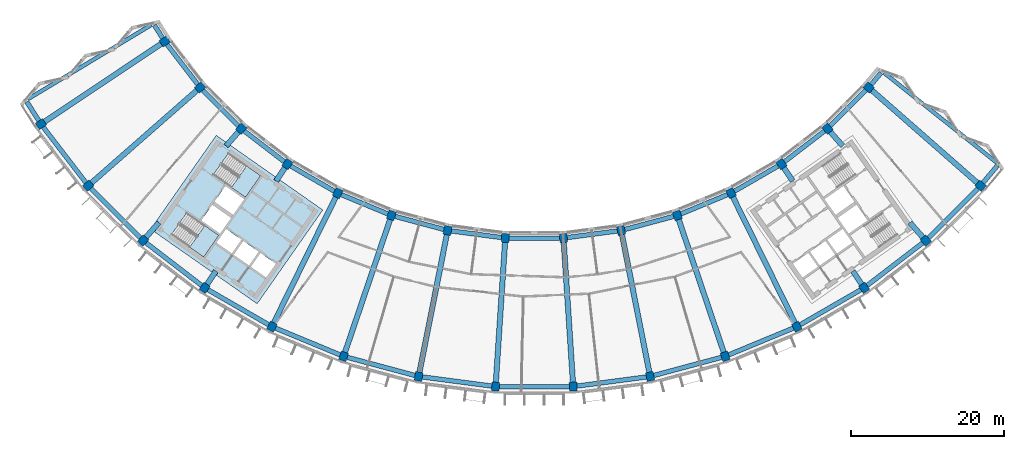
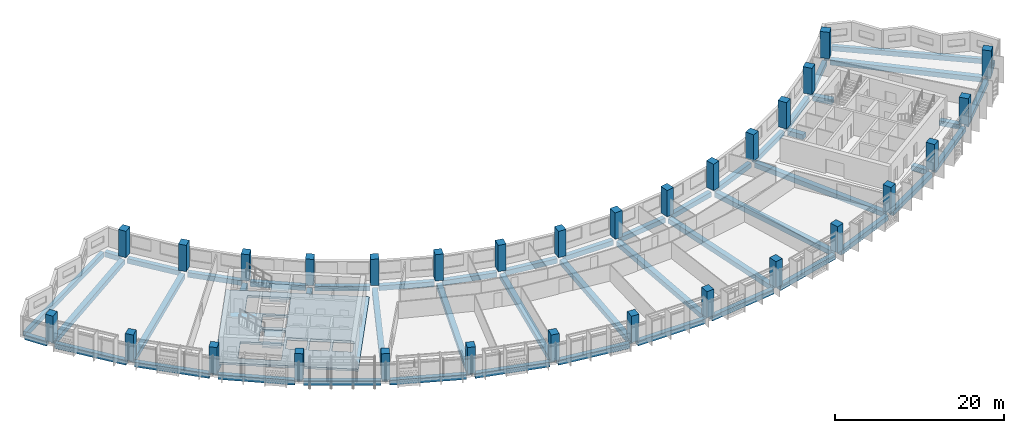
# One storey, part 1 of 28: 53 beams, 30 columns, 3 slabs, 2 elements without a shape of their own.
"""IFC4 building model written with IfcOpenShell, lengths in metres."""

import ifcopenshell
import ifcopenshell.guid

model = None  # the IFC model being written
_history = None  # IfcOwnerHistory: only IFC2X3 demands one
_inside = {}  # id of a spatial element -> (the spatial element, [elements in it])
_under = {}  # id of a project, library or spatial element -> (it, [spatial elements below it])
_declared = {}  # id of a project -> (the project, [libraries it declares])
_typed = {}  # id of a type object -> (the type object, [elements of that type])
_made_of = {}  # id of a material, layer set ... -> (it, [elements and type objects made of it])


def new_model(schema):
    """Start an empty IFC model of exactly this schema.

    Asked for "IFC4X3", IfcOpenShell would pick the latest addendum, in which some entities
    have other attributes; the version numbers below select the first issue.
    IFC2X3 requires an IfcOwnerHistory on every rooted entity: one is made here for all.
    """
    global model, _history
    if schema == "IFC4X3":
        model = ifcopenshell.file(schema_version=(4, 3, 0, 0))
    else:
        model = ifcopenshell.file(schema=schema)
    _inside.clear()
    _under.clear()
    _declared.clear()
    _typed.clear()
    _made_of.clear()
    _history = None
    if model.schema == "IFC2X3":
        org = make("IfcOrganization", Name="unknown")
        user = make(
            "IfcPersonAndOrganization",
            ThePerson=make("IfcPerson", FamilyName="unknown"),
            TheOrganization=org,
        )
        app = make(
            "IfcApplication",
            ApplicationDeveloper=org,
            Version="unknown",
            ApplicationFullName="unknown",
            ApplicationIdentifier="unknown",
        )
        _history = make(
            "IfcOwnerHistory",
            OwningUser=user,
            OwningApplication=app,
            ChangeAction="ADDED",
            CreationDate=0,
        )
    return model


def make(cls, **values):
    """One entity of the class cls with the attributes given. An attribute that is None is left unset."""
    return model.create_entity(
        cls, **{name: value for name, value in values.items() if value is not None}
    )


def rooted(cls, **values):
    """An entity with a GlobalId (a new one), such as an element, a storey or a relation."""
    return make(cls, GlobalId=ifcopenshell.guid.new(), OwnerHistory=_history, **values)


def si_unit(unit_type, name, prefix=None):
    """IfcSIUnit, for example si_unit("LENGTHUNIT", "METRE", prefix="MILLI")."""
    return make("IfcSIUnit", UnitType=unit_type, Prefix=prefix, Name=name)


def assignment(units):
    """IfcUnitAssignment: the units of a project."""
    return None if units is None else make("IfcUnitAssignment", Units=units)


def point(xyz):
    """IfcCartesianPoint."""
    return None if xyz is None else make("IfcCartesianPoint", Coordinates=xyz)


def direction(xyz):
    """IfcDirection."""
    return None if xyz is None else make("IfcDirection", DirectionRatios=xyz)


def frame(location, z_axis=None, x_axis=None):
    """IfcAxis2Placement3D, a coordinate frame: its origin and axes. An axis left out is left unset."""
    return make(
        "IfcAxis2Placement3D",
        Location=point(location),
        Axis=direction(z_axis),
        RefDirection=direction(x_axis),
    )


def frame_2d(location, x_axis=None):
    """IfcAxis2Placement2D, a coordinate frame in the plane: its origin and x axis."""
    return make(
        "IfcAxis2Placement2D", Location=point(location), RefDirection=direction(x_axis)
    )


def origin():
    """The frame at (0, 0, 0) with its axes left unset."""
    return frame((0.0, 0.0, 0.0))


def origin_2d():
    """The frame at (0, 0) in the plane with its x axis left unset."""
    return frame_2d((0.0, 0.0))


def place(relative_to, where):
    """IfcLocalPlacement: puts the frame where relative to a parent placement (None: the world)."""
    return make(
        "IfcLocalPlacement", PlacementRelTo=relative_to, RelativePlacement=where
    )


def context(
    kind, dimensions, precision=None, world=None, true_north=None, identifier=None
):
    """IfcGeometricRepresentationContext, for example the 3D "Model" context."""
    return make(
        "IfcGeometricRepresentationContext",
        ContextIdentifier=identifier,
        ContextType=kind,
        CoordinateSpaceDimension=dimensions,
        Precision=precision,
        WorldCoordinateSystem=world,
        TrueNorth=true_north,
    )


def subcontext(parent, identifier, kind, view, scale=None):
    """IfcGeometricRepresentationSubContext, for example "Body" below "Model"."""
    return make(
        "IfcGeometricRepresentationSubContext",
        ContextIdentifier=identifier,
        ContextType=kind,
        ParentContext=parent,
        TargetScale=scale,
        TargetView=view,
    )


def project(units=None, contexts=None):
    """IfcProject with its units and contexts."""
    return rooted(
        "IfcProject",
        Name="project",
        RepresentationContexts=contexts,
        UnitsInContext=assignment(units),
    )


def spatial(cls, under=None, at=None, **own):
    """A site, building, storey or space (cls), placed at a placement, below another one or the project."""
    s = rooted(cls, ObjectPlacement=at, **own)
    if under is not None:
        _under.setdefault(under.id(), (under, []))[1].append(s)
    return s


def polyline(points):
    """IfcPolyline through the points."""
    return make("IfcPolyline", Points=[point(p) for p in points])


def profile(cls, at=None, kind="AREA", **sizes):
    """A parametric profile (cls). Its sizes go by their IFC names, for example OverallWidth=200.0."""
    return make(cls, ProfileType=kind, Position=at, **sizes)


def rectangle(**sizes):
    """IfcRectangleProfileDef."""
    return profile("IfcRectangleProfileDef", **sizes)


def outline(outer, holes=None, kind="AREA"):
    """IfcArbitraryClosedProfileDef: a profile drawn as a closed curve; with holes, ...WithVoids."""
    if holes is None:
        return make("IfcArbitraryClosedProfileDef", ProfileType=kind, OuterCurve=outer)
    return make(
        "IfcArbitraryProfileDefWithVoids",
        ProfileType=kind,
        OuterCurve=outer,
        InnerCurves=holes,
    )


def extrude(swept, where, along, depth):
    """IfcExtrudedAreaSolid: the profile swept, set in the frame where, extruded along a direction by depth."""
    return make(
        "IfcExtrudedAreaSolid",
        SweptArea=swept,
        Position=where,
        ExtrudedDirection=direction(along),
        Depth=depth,
    )


def shape(context_of_items, identifier, shape_type, items):
    """IfcShapeRepresentation: the items that make up one representation, for example the "Body"."""
    return make(
        "IfcShapeRepresentation",
        ContextOfItems=context_of_items,
        RepresentationIdentifier=identifier,
        RepresentationType=shape_type,
        Items=items,
    )


def material(Name=None, Category=None):
    """IfcMaterial."""
    return make("IfcMaterial", Name=Name, Category=Category)


def layer(
    of_material, thickness, ventilated=None, Name=None, Category=None, Priority=None
):
    """IfcMaterialLayer: one layer of a wall or slab, of a material (None: an air gap)."""
    return make(
        "IfcMaterialLayer",
        Material=of_material,
        LayerThickness=thickness,
        IsVentilated=ventilated,
        Name=Name,
        Category=Category,
        Priority=Priority,
    )


def layer_set(layers, Name=None):
    """IfcMaterialLayerSet."""
    return make("IfcMaterialLayerSet", MaterialLayers=layers, LayerSetName=Name)


def material_profile(
    of_material, cross_section, Name=None, Category=None, Priority=None
):
    """IfcMaterialProfile: a cross section and its material."""
    return make(
        "IfcMaterialProfile",
        Name=Name,
        Material=of_material,
        Profile=cross_section,
        Priority=Priority,
        Category=Category,
    )


def profile_set(profiles, Name=None, composite=None):
    """IfcMaterialProfileSet."""
    return make(
        "IfcMaterialProfileSet",
        Name=Name,
        MaterialProfiles=profiles,
        CompositeProfile=composite,
    )


def made_of(thing, what):
    """Note that an element or type object is made of a material, layer set ...; save() writes the relation."""
    if what is not None:
        _made_of.setdefault(what.id(), (what, []))[1].append(thing)
    return thing


def type_object(cls, material=None, **own):
    """A type object (cls), such as IfcWallType, which elements share."""
    return made_of(rooted(cls, **own), material)


def element(
    cls,
    number,
    at=None,
    inside=None,
    cuts=None,
    type_object=None,
    material=None,
    context=None,
    identifier="Body",
    shape_type=None,
    held_by="IfcProductDefinitionShape",
    body=None,
    shapes=None,
    **own,
):
    """One element of the class cls, such as IfcWall. Its Tag is "e" and its number.

    at: its placement. inside: the storey or other place that contains it. cuts: it is an
    opening in that element (IfcRelVoidsElement). A single representation is given by context,
    identifier, shape_type and body (its items); several are given by shapes. held_by: the class
    of the entity that holds the representations. save() writes the other relations.
    """
    e = rooted(cls, Tag="e%d" % number, ObjectPlacement=at, **own)
    if body is not None:
        shapes = [shape(context, identifier, shape_type, body)]
    if shapes is not None:
        e.Representation = make(held_by, Representations=shapes)
    if inside is not None:
        _inside.setdefault(inside.id(), (inside, []))[1].append(e)
    if cuts is not None:
        rooted(
            "IfcRelVoidsElement", RelatingBuildingElement=cuts, RelatedOpeningElement=e
        )
    if type_object is not None:
        _typed.setdefault(type_object.id(), (type_object, []))[1].append(e)
    return made_of(e, material)


def aggregate(whole, parts):
    """IfcRelAggregates: a whole, such as a stair, and the parts it consists of."""
    return rooted("IfcRelAggregates", RelatingObject=whole, RelatedObjects=parts)


def save(model, path):
    """Write the relations noted so far, then the file.

    IfcRelAggregates (storeys below a building ...), IfcRelContainedInSpatialStructure (elements
    in a storey), IfcRelDefinesByType, IfcRelAssociatesMaterial and IfcRelDeclares: one each for
    every whole, place, type object, material and project.
    """
    for whole, parts in _under.values():
        aggregate(whole, parts)
    for where, things in _inside.values():
        rooted(
            "IfcRelContainedInSpatialStructure",
            RelatedElements=things,
            RelatingStructure=where,
        )
    for kind, things in _typed.values():
        rooted("IfcRelDefinesByType", RelatedObjects=things, RelatingType=kind)
    for what, things in _made_of.values():
        rooted("IfcRelAssociatesMaterial", RelatedObjects=things, RelatingMaterial=what)
    for by, libraries in _declared.values():
        rooted("IfcRelDeclares", RelatingContext=by, RelatedDefinitions=libraries)
    model.write(path)


model = new_model("IFC4")

# Units and contexts
model_context = context("Model", 3, precision=1e-05, world=origin(), true_north=direction((0.0, 1.0)))
body_context = subcontext(model_context, "Body", "Model", "MODEL_VIEW")
ifc_project = project(units=[si_unit("LENGTHUNIT", "METRE"), si_unit("AREAUNIT", "SQUARE_METRE"), si_unit("VOLUMEUNIT", "CUBIC_METRE"), si_unit("PLANEANGLEUNIT", "RADIAN"), si_unit("MASSUNIT", "GRAM", prefix="KILO")], contexts=[model_context])

# Site, building, storey
site_placement = place(None, origin())
site = spatial("IfcSite", under=ifc_project, at=site_placement, CompositionType="ELEMENT")
building_placement = place(site_placement, origin())
building = spatial("IfcBuilding", under=site, at=building_placement, Name="Qamariyya Broadcast Tower", CompositionType="ELEMENT")
storey_placement = place(building_placement, frame((0.0, 0.0, 249.300048828125)))
storey = spatial("IfcBuildingStorey", under=building, at=storey_placement, Name="L60", CompositionType="ELEMENT", Elevation=249.300048828125)

# Columns
ifc_material_1 = material(Name="Concrete C60/75", Category="concrete")
ifc_material_profile_1 = material_profile(ifc_material_1, rectangle(XDim=1.0, YDim=1.14990234375, at=origin_2d()))
ifc_profile_set_1 = profile_set([ifc_material_profile_1], Name="Concrete C60/75")
column_type = type_object("IfcColumnType", Name="RC column 1000 x 1150 C60/75", PredefinedType="COLUMN", material=ifc_profile_set_1)
for number, where, z_axis, x_axis, name in (
    (1, (-48.43310546875, -32.362060546875, 0.0), (0.0, 0.0, 1.0), (0.55557023302, -0.831469612303, 0.0), "Column C11 L60 B-R03"),
    (2, (-64.646728515625, -43.195556640625, 0.0), (0.0, 0.0, 1.0), (0.55557023302, -0.831469612303, 0.0), "Column C11 L60 C-R03"),
    (3, (-43.794677734375, -38.406982421875, 0.0), (0.0, 0.0, 1.0), (0.6593458151, -0.751839807479, 0.0), "Column C11 L60 B-R04"),
    (4, (-58.45556640625, -51.26416015625, 0.0), (0.0, 0.0, 1.0), (0.6593458151, -0.751839807479, 0.0), "Column C11 L60 C-R04"),
    (5, (-38.406982421875, -43.794677734375, 0.0), (0.0, 0.0, 1.0), (0.751839807479, -0.6593458151, 0.0), "Column C11 L60 B-R05"),
    (6, (-51.26416015625, -58.45556640625, 0.0), (0.0, 0.0, 1.0), (0.751839807479, -0.6593458151, 0.0), "Column C11 L60 C-R05"),
    (7, (-32.362060546875, -48.43310546875, 0.0), (0.0, 0.0, 1.0), (0.831469612303, -0.55557023302, 0.0), "Column C11 L60 B-R06"),
    (8, (-43.195556640625, -64.646728515625, 0.0), (0.0, 0.0, 1.0), (0.831469612303, -0.55557023302, 0.0), "Column C11 L60 C-R06"),
    (9, (-25.763427734375, -52.242919921875, 0.0), (0.0, 0.0, 1.0), (0.896872741533, -0.442288690219, 0.0), "Column C11 L60 B-R07"),
    (10, (-34.387939453125, -69.73193359375, 0.0), (0.0, 0.0, 1.0), (0.896872741533, -0.442288690219, 0.0), "Column C11 L60 C-R07"),
    (11, (-18.723876953125, -55.15869140625, 0.0), (0.0, 0.0, 1.0), (0.946930129495, -0.321439465303, 0.0), "Column C11 L60 B-R08"),
    (12, (-24.991943359375, -73.623779296875, 0.0), (0.0, 0.0, 1.0), (0.946930129495, -0.321439465303, 0.0), "Column C11 L60 C-R08"),
    (13, (-11.364013671875, -57.130859375, 0.0), (0.0, 0.0, 1.0), (0.980785280403, -0.195090322016, 0.0), "Column C11 L60 B-R09"),
    (14, (-15.168212890625, -76.256103515625, 0.0), (0.0, 0.0, 1.0), (0.980785280403, -0.195090322016, 0.0), "Column C11 L60 C-R09"),
    (15, (-3.809814453125, -58.125244140625, 0.0), (0.0, 0.0, 1.0), (0.997858923239, -0.06540312923, 0.0), "Column C11 L60 B-R10"),
    (16, (-5.085205078125, -77.58349609375, 0.0), (0.0, 0.0, 1.0), (0.997858923239, -0.06540312923, 0.0), "Column C11 L60 C-R10"),
    (17, (3.809814453125, -58.125244140625, 0.0), (0.0, 0.0, 1.0), (0.997858923239, 0.06540312923, 0.0), "Column C11 L60 B-R11"),
    (18, (5.085205078125, -77.58349609375, 0.0), (0.0, 0.0, 1.0), (0.997858923239, 0.06540312923, 0.0), "Column C11 L60 C-R11"),
    (19, (11.364013671875, -57.130859375, 0.0), (0.0, 0.0, 1.0), (0.980785280403, 0.195090322016, 0.0), "Column C11 L60 B-R12"),
    (20, (15.168212890625, -76.256103515625, 0.0), (0.0, 0.0, 1.0), (0.980785280403, 0.195090322016, 0.0), "Column C11 L60 C-R12"),
    (21, (18.723876953125, -55.15869140625, 0.0), (0.0, 0.0, 1.0), (0.946930129495, 0.321439465303, 0.0), "Column C11 L60 B-R13"),
    (22, (24.991943359375, -73.623779296875, 0.0), (0.0, 0.0, 1.0), (0.946930129495, 0.321439465303, 0.0), "Column C11 L60 C-R13"),
    (23, (25.763427734375, -52.242919921875, 0.0), (0.0, 0.0, 1.0), (0.896872741533, 0.442288690219, 0.0), "Column C11 L60 B-R14"),
    (24, (34.387939453125, -69.73193359375, 0.0), (0.0, 0.0, 1.0), (0.896872741533, 0.442288690219, 0.0), "Column C11 L60 C-R14"),
    (25, (32.362060546875, -48.43310546875, 0.0), (0.0, 0.0, 1.0), (0.831469612303, 0.55557023302, 0.0), "Column C11 L60 B-R15"),
    (26, (43.195556640625, -64.646728515625, 0.0), (0.0, 0.0, 1.0), (0.831469612303, 0.55557023302, 0.0), "Column C11 L60 C-R15"),
    (27, (38.406982421875, -43.794677734375, 0.0), (0.0, 0.0, 1.0), (0.751839807479, 0.6593458151, 0.0), "Column C11 L60 B-R16"),
    (28, (51.26416015625, -58.45556640625, 0.0), (0.0, 0.0, 1.0), (0.751839807479, 0.6593458151, 0.0), "Column C11 L60 C-R16"),
    (29, (43.794677734375, -38.406982421875, 0.0), (0.0, 0.0, 1.0), (0.6593458151, 0.751839807479, 0.0), "Column C11 L60 B-R17"),
    (30, (58.45556640625, -51.26416015625, 0.0), (0.0, 0.0, 1.0), (0.6593458151, 0.751839807479, 0.0), "Column C11 L60 C-R17"),
):
    element("IfcColumn", number, at=place(storey_placement, frame(where, z_axis=z_axis, x_axis=x_axis)), inside=storey, type_object=column_type, Name=name, PredefinedType="COLUMN", context=body_context, shape_type="SweptSolid", body=[
        extrude(rectangle(XDim=1.0, YDim=1.14990234375, at=origin_2d()), origin(), (0.0, 0.0, 1.0), 3.800048828125),
    ])

# Beams
ifc_material_2 = material(Name="Concrete C40/50", Category="concrete")
ifc_material_profile_2 = material_profile(ifc_material_2, rectangle(XDim=0.60009765625, YDim=0.699951171875, at=origin_2d()))
ifc_profile_set_2 = profile_set([ifc_material_profile_2], Name="Concrete C40/50")
beam_type_1 = type_object("IfcBeamType", Name="RC edge beam 600 x 700 C40/50", PredefinedType="SPANDREL", material=ifc_profile_set_2)
for number, where, z_axis, x_axis, name in (
    (31, (-48.128173828125, -32.759521484375, -0.650146484375), (0.608788546151, -0.79333253184, 0.0), (0.79333253184, 0.608788546151, 0.0), "Edge beam B20 L60 B R03-R04"),
    (32, (-43.4404296875, -38.76123046875, -0.650146484375), (0.707106781187, -0.707106781187, 0.0), (0.707106781187, 0.707106781187, 0.0), "Edge beam B20 L60 B R04-R05"),
    (33, (-38.00927734375, -44.099609375, -0.650146484375), (0.79333253184, -0.608788546151, 0.0), (0.608788546151, 0.79333253184, 0.0), "Edge beam B20 L60 B R05-R06"),
):
    element("IfcBeam", number, at=place(storey_placement, frame(where, z_axis=z_axis, x_axis=x_axis)), inside=storey, type_object=beam_type_1, Name=name, PredefinedType="SPANDREL", context=body_context, shape_type="SweptSolid", body=[
        extrude(rectangle(XDim=0.60009765625, YDim=0.699951171875, at=origin_2d()), origin(), (0.0, 0.0, 1.0), 6.617431640625),
    ])
for number, where, z_axis, x_axis, name in (
    (34, (-31.927978515625, -48.68359375, -0.650146484375), (0.866027686223, -0.499996046679, 0.0), (0.499996046679, 0.866027686223, 0.0), "Edge beam B20 L60 B R06-R07"),
    (35, (-25.30029296875, -52.4345703125, -0.650146484375), (0.923870685948, -0.382704789159, 0.0), (0.382704789159, 0.923870685948, 0.0), "Edge beam B20 L60 B R07-R08"),
):
    element("IfcBeam", number, at=place(storey_placement, frame(where, z_axis=z_axis, x_axis=x_axis)), inside=storey, type_object=beam_type_1, Name=name, PredefinedType="SPANDREL", context=body_context, shape_type="SweptSolid", body=[
        extrude(rectangle(XDim=0.60009765625, YDim=0.699951171875, at=origin_2d()), origin(), (0.0, 0.0, 1.0), 6.6171875),
    ])
for number, where, z_axis, x_axis, name in (
    (36, (-18.23974609375, -55.288330078125, -0.650146484375), (0.965927466282, -0.258812924486, 0.0), (0.258812924486, 0.965927466282, 0.0), "Edge beam B20 L60 B R08-R09"),
    (37, (-10.8671875, -57.196044921875, -0.650146484375), (0.991444372314, -0.130529906942, 0.0), (0.130529906942, 0.991444372314, 0.0), "Edge beam B20 L60 B R09-R10"),
):
    element("IfcBeam", number, at=place(storey_placement, frame(where, z_axis=z_axis, x_axis=x_axis)), inside=storey, type_object=beam_type_1, Name=name, PredefinedType="SPANDREL", context=body_context, shape_type="SweptSolid", body=[
        extrude(rectangle(XDim=0.60009765625, YDim=0.699951171875, at=origin_2d()), origin(), (0.0, 0.0, 1.0), 6.617431640625),
    ])
beam_1_placement = place(storey_placement, frame((-3.30859375, -58.125244140625, -0.650146484375), z_axis=(1.0, 0.0, 0.0), x_axis=(0.0, 1.0, 0.0)))
element("IfcBeam", 38, at=beam_1_placement, inside=storey, type_object=beam_type_1, Name="Edge beam B20 L60 B R10-R11", PredefinedType="SPANDREL", context=body_context, shape_type="SweptSolid", body=[
    extrude(rectangle(XDim=0.60009765625, YDim=0.699951171875, at=origin_2d()), origin(), (0.0, 0.0, 1.0), 6.6171875),
])
for number, where, z_axis, x_axis, name in (
    (39, (4.306396484375, -58.059814453125, -0.650146484375), (0.991444372314, 0.130529906942, 0.0), (-0.130529906942, 0.991444372314, 0.0), "Edge beam B20 L60 B R11-R12"),
    (40, (11.847900390625, -57.0009765625, -0.650146484375), (0.965927466282, 0.258812924486, 0.0), (-0.258812924486, 0.965927466282, 0.0), "Edge beam B20 L60 B R12-R13"),
):
    element("IfcBeam", number, at=place(storey_placement, frame(where, z_axis=z_axis, x_axis=x_axis)), inside=storey, type_object=beam_type_1, Name=name, PredefinedType="SPANDREL", context=body_context, shape_type="SweptSolid", body=[
        extrude(rectangle(XDim=0.60009765625, YDim=0.699951171875, at=origin_2d()), origin(), (0.0, 0.0, 1.0), 6.617431640625),
    ])
for number, where, z_axis, x_axis, name in (
    (41, (19.186767578125, -54.967041015625, -0.650146484375), (0.923870685948, 0.382704789159, 0.0), (-0.382704789159, 0.923870685948, 0.0), "Edge beam B20 L60 B R13-R14"),
    (42, (26.197265625, -51.9921875, -0.650146484375), (0.866027686223, 0.499996046679, 0.0), (-0.499996046679, 0.866027686223, 0.0), "Edge beam B20 L60 B R14-R15"),
):
    element("IfcBeam", number, at=place(storey_placement, frame(where, z_axis=z_axis, x_axis=x_axis)), inside=storey, type_object=beam_type_1, Name=name, PredefinedType="SPANDREL", context=body_context, shape_type="SweptSolid", body=[
        extrude(rectangle(XDim=0.60009765625, YDim=0.699951171875, at=origin_2d()), origin(), (0.0, 0.0, 1.0), 6.6171875),
    ])
for number, where, z_axis, x_axis, name in (
    (43, (32.759521484375, -48.128173828125, -0.650146484375), (0.79333253184, 0.608788546151, 0.0), (-0.608788546151, 0.79333253184, 0.0), "Edge beam B20 L60 B R15-R16"),
    (44, (38.76123046875, -43.4404296875, -0.650146484375), (0.707106781187, 0.707106781187, 0.0), (-0.707106781187, 0.707106781187, 0.0), "Edge beam B20 L60 B R16-R17"),
):
    element("IfcBeam", number, at=place(storey_placement, frame(where, z_axis=z_axis, x_axis=x_axis)), inside=storey, type_object=beam_type_1, Name=name, PredefinedType="SPANDREL", context=body_context, shape_type="SweptSolid", body=[
        extrude(rectangle(XDim=0.60009765625, YDim=0.699951171875, at=origin_2d()), origin(), (0.0, 0.0, 1.0), 6.617431640625),
    ])
for number, where, z_axis, x_axis, name in (
    (45, (-64.341796875, -43.593017578125, -0.650146484375), (0.608761882331, -0.793352992445, 0.0), (0.793352992445, 0.608761882331, 0.0), "Edge beam B20 L60 C R03-R04"),
    (46, (-58.101318359375, -51.618408203125, -0.650146484375), (0.707106781187, -0.707106781187, 0.0), (0.707106781187, 0.707106781187, 0.0), "Edge beam B20 L60 C R04-R05"),
    (47, (-50.86669921875, -58.760498046875, -0.650146484375), (0.793352992445, -0.608761882331, 0.0), (0.608761882331, 0.793352992445, 0.0), "Edge beam B20 L60 C R05-R06"),
    (48, (-42.76171875, -64.897216796875, -0.650146484375), (0.866032154434, -0.49998830735, 0.0), (0.49998830735, 0.866032154434, 0.0), "Edge beam B20 L60 C R06-R07"),
    (49, (-33.925048828125, -69.923583984375, -0.650146484375), (0.923876946533, -0.382689675409, 0.0), (0.382689675409, 0.923876946533, 0.0), "Edge beam B20 L60 C R07-R08"),
):
    element("IfcBeam", number, at=place(storey_placement, frame(where, z_axis=z_axis, x_axis=x_axis)), inside=storey, type_object=beam_type_1, Name=name, PredefinedType="SPANDREL", context=body_context, shape_type="SweptSolid", body=[
        extrude(rectangle(XDim=0.60009765625, YDim=0.699951171875, at=origin_2d()), origin(), (0.0, 0.0, 1.0), 9.168212890625),
    ])
for number, where, z_axis, x_axis, name in (
    (50, (-24.5078125, -73.75341796875, -0.650146484375), (0.965919522093, -0.258842571536, 0.0), (0.258842571536, 0.965919522093, 0.0), "Edge beam B20 L60 C R08-R09"),
    (51, (-14.67138671875, -76.321533203125, -0.650146484375), (0.991446770895, -0.130511687147, 0.0), (0.130511687147, 0.991446770895, 0.0), "Edge beam B20 L60 C R09-R10"),
    (52, (-4.583984375, -77.58349609375, -0.650146484375), (1.0, 0.0, 0.0), (0.0, 1.0, 0.0), "Edge beam B20 L60 C R10-R11"),
    (53, (5.581787109375, -77.51806640625, -0.650146484375), (0.991446770895, 0.130511687147, 0.0), (-0.130511687147, 0.991446770895, 0.0), "Edge beam B20 L60 C R11-R12"),
    (54, (15.65234375, -76.12646484375, -0.650146484375), (0.965919522093, 0.258842571536, 0.0), (-0.258842571536, 0.965919522093, 0.0), "Edge beam B20 L60 C R12-R13"),
):
    element("IfcBeam", number, at=place(storey_placement, frame(where, z_axis=z_axis, x_axis=x_axis)), inside=storey, type_object=beam_type_1, Name=name, PredefinedType="SPANDREL", context=body_context, shape_type="SweptSolid", body=[
        extrude(rectangle(XDim=0.60009765625, YDim=0.699951171875, at=origin_2d()), origin(), (0.0, 0.0, 1.0), 9.16796875),
    ])
for number, where, z_axis, x_axis, name in (
    (55, (25.454833984375, -73.43212890625, -0.650146484375), (0.923876946533, 0.382689675409, 0.0), (-0.382689675409, 0.923876946533, 0.0), "Edge beam B20 L60 C R13-R14"),
    (56, (34.82177734375, -69.481201171875, -0.650146484375), (0.866032154434, 0.49998830735, 0.0), (-0.49998830735, 0.866032154434, 0.0), "Edge beam B20 L60 C R14-R15"),
    (57, (43.593017578125, -64.341796875, -0.650146484375), (0.793352992445, 0.608761882331, 0.0), (-0.608761882331, 0.793352992445, 0.0), "Edge beam B20 L60 C R15-R16"),
    (58, (51.618408203125, -58.101318359375, -0.650146484375), (0.707106781187, 0.707106781187, 0.0), (-0.707106781187, 0.707106781187, 0.0), "Edge beam B20 L60 C R16-R17"),
):
    element("IfcBeam", number, at=place(storey_placement, frame(where, z_axis=z_axis, x_axis=x_axis)), inside=storey, type_object=beam_type_1, Name=name, PredefinedType="SPANDREL", context=body_context, shape_type="SweptSolid", body=[
        extrude(rectangle(XDim=0.60009765625, YDim=0.699951171875, at=origin_2d()), origin(), (0.0, 0.0, 1.0), 9.168212890625),
    ])
ifc_material_profile_3 = material_profile(ifc_material_2, rectangle(XDim=0.60009765625, YDim=0.699951171875, at=origin_2d()))
ifc_profile_set_3 = profile_set([ifc_material_profile_3], Name="Concrete C40/50")
beam_type_2 = type_object("IfcBeamType", Name="RC horn beam 600 x 700 C40/50", PredefinedType="BEAM", material=ifc_profile_set_3)
beam_2_placement = place(storey_placement, frame((-48.700927734375, -31.939697265625, -0.650146484375), z_axis=(-0.535736247676, 0.844385381758, 0.0), x_axis=(-0.844385381758, -0.535736247676, 0.0)))
element("IfcBeam", 59, at=beam_2_placement, inside=storey, type_object=beam_type_2, Name="Horn beam B19 L60 W B-R03", PredefinedType="BEAM", context=body_context, shape_type="SweptSolid", body=[
    extrude(rectangle(XDim=0.60009765625, YDim=0.699951171875, at=origin_2d()), origin(), (0.0, 0.0, 1.0), 2.011474609375),
])
beam_3_placement = place(storey_placement, frame((-64.914794921875, -42.773193359375, -0.650146484375), z_axis=(-0.535712708126, 0.844400316409, 0.0), x_axis=(-0.844400316409, -0.535712708126, 0.0)))
element("IfcBeam", 60, at=beam_3_placement, inside=storey, type_object=beam_type_2, Name="Horn beam B19 L60 W C-R03", PredefinedType="BEAM", context=body_context, shape_type="SweptSolid", body=[
    extrude(rectangle(XDim=0.60009765625, YDim=0.699951171875, at=origin_2d()), origin(), (0.0, 0.0, 1.0), 2.935791015625),
])
beam_4_placement = place(storey_placement, frame((44.115478515625, -38.023193359375, -0.650146484375), z_axis=(0.641305868652, 0.767285333388, 0.0), x_axis=(-0.767285333388, 0.641305868652, 0.0)))
element("IfcBeam", 61, at=beam_4_placement, inside=storey, type_object=beam_type_2, Name="Horn beam B19 L60 E B-R17", PredefinedType="BEAM", context=body_context, shape_type="SweptSolid", body=[
    extrude(rectangle(XDim=0.60009765625, YDim=0.699951171875, at=origin_2d()), origin(), (0.0, 0.0, 1.0), 2.011474609375),
])
beam_5_placement = place(storey_placement, frame((58.7763671875, -50.88037109375, -0.650146484375), z_axis=(0.641304288908, 0.767286653754, 0.0), x_axis=(-0.767286653754, 0.641304288908, 0.0)))
element("IfcBeam", 62, at=beam_5_placement, inside=storey, type_object=beam_type_2, Name="Horn beam B19 L60 E C-R17", PredefinedType="BEAM", context=body_context, shape_type="SweptSolid", body=[
    extrude(rectangle(XDim=0.60009765625, YDim=0.699951171875, at=origin_2d()), origin(), (0.0, 0.0, 1.0), 2.935791015625),
])
ifc_material_profile_4 = material_profile(ifc_material_2, rectangle(XDim=0.5, YDim=0.699951171875, at=origin_2d()))
ifc_profile_set_4 = profile_set([ifc_material_profile_4], Name="Concrete C40/50")
beam_type_3 = type_object("IfcBeamType", Name="RC horn cap beam 500 x 700 C40/50", PredefinedType="BEAM", material=ifc_profile_set_4)
beam_6_placement = place(storey_placement, frame((-50.169677734375, -30.1845703125, -0.650146484375), z_axis=(-0.856867695985, -0.515536372701, 0.0), x_axis=(0.515536372701, -0.856867695985, 0.0)))
element("IfcBeam", 63, at=beam_6_placement, inside=storey, type_object=beam_type_3, Name="Horn cap beam B21 L60 W B-C", PredefinedType="BEAM", context=body_context, shape_type="SweptSolid", body=[
    extrude(rectangle(XDim=0.5, YDim=0.699951171875, at=origin_2d()), origin(), (0.0, 0.0, 1.0), 18.900146484375),
])
beam_7_placement = place(storey_placement, frame((45.800537109375, -36.474853515625, -0.650146484375), z_axis=(0.782244356527, -0.622971722216, 0.0), x_axis=(0.622971722216, 0.782244356527, 0.0)))
element("IfcBeam", 64, at=beam_7_placement, inside=storey, type_object=beam_type_3, Name="Horn cap beam B21 L60 E B-C", PredefinedType="BEAM", context=body_context, shape_type="SweptSolid", body=[
    extrude(rectangle(XDim=0.5, YDim=0.699951171875, at=origin_2d()), origin(), (0.0, 0.0, 1.0), 18.89990234375),
])
ifc_material_profile_5 = material_profile(ifc_material_2, rectangle(XDim=0.699951171875, YDim=0.699951171875, at=origin_2d()))
ifc_profile_set_5 = profile_set([ifc_material_profile_5], Name="Concrete C40/50")
beam_type_4 = type_object("IfcBeamType", Name="RC radial beam 700 x 700 C40/50", PredefinedType="BEAM", material=ifc_profile_set_5)
beam_8_placement = place(storey_placement, frame((-48.9111328125, -32.681396484375, -0.650146484375), z_axis=(-0.831468530479, -0.55557185208, 0.0), x_axis=(0.55557185208, -0.831468530479, 0.0)))
element("IfcBeam", 65, at=beam_8_placement, inside=storey, type_object=beam_type_4, Name="Radial beam B18 L60 R03 B-C", PredefinedType="BEAM", context=body_context, shape_type="SweptSolid", body=[
    extrude(rectangle(XDim=0.699951171875, YDim=0.699951171875, at=origin_2d()), origin(), (0.0, 0.0, 1.0), 18.35009765625),
])
beam_9_placement = place(storey_placement, frame((-44.22705078125, -38.7861328125, -0.650146484375), z_axis=(-0.751840222646, -0.659345341692, 0.0), x_axis=(0.659345341692, -0.751840222646, 0.0)))
element("IfcBeam", 66, at=beam_9_placement, inside=storey, type_object=beam_type_4, Name="Radial beam B18 L60 R04 B-C", PredefinedType="BEAM", context=body_context, shape_type="SweptSolid", body=[
    extrude(rectangle(XDim=0.699951171875, YDim=0.699951171875, at=origin_2d()), origin(), (0.0, 0.0, 1.0), 18.349853515625),
])
beam_10_placement = place(storey_placement, frame((-38.7861328125, -44.22705078125, -0.650146484375), z_axis=(-0.659347500472, -0.751838329444, 0.0), x_axis=(0.751838329444, -0.659347500472, 0.0)))
element("IfcBeam", 67, at=beam_10_placement, inside=storey, type_object=beam_type_4, Name="Radial beam B18 L60 R05 B-C", PredefinedType="BEAM", context=body_context, shape_type="SweptSolid", body=[
    extrude(rectangle(XDim=0.699951171875, YDim=0.699951171875, at=origin_2d()), origin(), (0.0, 0.0, 1.0), 2.43896484375),
])
beam_11_placement = place(storey_placement, frame((-49.1943359375, -56.095458984375, -0.650146484375), z_axis=(-0.65936701245, -0.751821217373, 0.0), x_axis=(0.751821217373, -0.65936701245, 0.0)))
element("IfcBeam", 68, at=beam_11_placement, inside=storey, type_object=beam_type_4, Name="Radial beam B18 L60 R05 B-C", PredefinedType="BEAM", context=body_context, shape_type="SweptSolid", body=[
    extrude(rectangle(XDim=0.699951171875, YDim=0.699951171875, at=origin_2d()), origin(), (0.0, 0.0, 1.0), 2.56396484375),
])
beam_12_placement = place(storey_placement, frame((-32.681396484375, -48.9111328125, -0.650146484375), z_axis=(-0.555589685374, -0.831456614326, 0.0), x_axis=(0.831456614326, -0.555589685374, 0.0)))
element("IfcBeam", 69, at=beam_12_placement, inside=storey, type_object=beam_type_4, Name="Radial beam B18 L60 R06 B-C", PredefinedType="BEAM", context=body_context, shape_type="SweptSolid", body=[
    extrude(rectangle(XDim=0.699951171875, YDim=0.699951171875, at=origin_2d()), origin(), (0.0, 0.0, 1.0), 2.08935546875),
])
beam_13_placement = place(storey_placement, frame((-41.733154296875, -62.458251953125, -0.650146484375), z_axis=(-0.555630982199, -0.831429017788, 0.0), x_axis=(0.831429017788, -0.555630982199, 0.0)))
element("IfcBeam", 70, at=beam_13_placement, inside=storey, type_object=beam_type_4, Name="Radial beam B18 L60 R06 B-C", PredefinedType="BEAM", context=body_context, shape_type="SweptSolid", body=[
    extrude(rectangle(XDim=0.699951171875, YDim=0.699951171875, at=origin_2d()), origin(), (0.0, 0.0, 1.0), 2.05712890625),
])
beam_14_placement = place(storey_placement, frame((-26.017578125, -52.758544921875, -0.650146484375), z_axis=(-0.442289405452, -0.896872388819, 0.0), x_axis=(0.896872388819, -0.442289405452, 0.0)))
element("IfcBeam", 71, at=beam_14_placement, inside=storey, type_object=beam_type_4, Name="Radial beam B18 L60 R07 B-C", PredefinedType="BEAM", context=body_context, shape_type="SweptSolid", body=[
    extrude(rectangle(XDim=0.699951171875, YDim=0.699951171875, at=origin_2d()), origin(), (0.0, 0.0, 1.0), 18.349853515625),
])
for number, where, z_axis, x_axis, name in (
    (72, (-18.90869140625, -55.703125, -0.650146484375), (-0.321439728167, -0.946930040265, 0.0), (0.946930040265, -0.321439728167, 0.0), "Radial beam B18 L60 R08 B-C"),
    (73, (-11.47607421875, -57.694580078125, -0.650146484375), (-0.195097720648, -0.980783808695, 0.0), (0.980783808695, -0.195097720648, 0.0), "Radial beam B18 L60 R09 B-C"),
    (74, (-3.847412109375, -58.698974609375, -0.650146484375), (-0.065405444204, -0.997858771505, 0.0), (0.997858771505, -0.065405444204, 0.0), "Radial beam B18 L60 R10 B-C"),
    (75, (3.847412109375, -58.698974609375, -0.650146484375), (0.065405444204, -0.997858771505, 0.0), (0.997858771505, 0.065405444204, 0.0), "Radial beam B18 L60 R11 B-C"),
    (76, (11.47607421875, -57.694580078125, -0.650146484375), (0.195097720648, -0.980783808695, 0.0), (0.980783808695, 0.195097720648, 0.0), "Radial beam B18 L60 R12 B-C"),
    (77, (18.90869140625, -55.703125, -0.650146484375), (0.321439728167, -0.946930040265, 0.0), (0.946930040265, 0.321439728167, 0.0), "Radial beam B18 L60 R13 B-C"),
):
    element("IfcBeam", number, at=place(storey_placement, frame(where, z_axis=z_axis, x_axis=x_axis)), inside=storey, type_object=beam_type_4, Name=name, PredefinedType="BEAM", context=body_context, shape_type="SweptSolid", body=[
        extrude(rectangle(XDim=0.699951171875, YDim=0.699951171875, at=origin_2d()), origin(), (0.0, 0.0, 1.0), 18.35009765625),
    ])
beam_15_placement = place(storey_placement, frame((26.017578125, -52.758544921875, -0.650146484375), z_axis=(0.442289405452, -0.896872388819, 0.0), x_axis=(0.896872388819, 0.442289405452, 0.0)))
element("IfcBeam", 78, at=beam_15_placement, inside=storey, type_object=beam_type_4, Name="Radial beam B18 L60 R14 B-C", PredefinedType="BEAM", context=body_context, shape_type="SweptSolid", body=[
    extrude(rectangle(XDim=0.699951171875, YDim=0.699951171875, at=origin_2d()), origin(), (0.0, 0.0, 1.0), 18.349853515625),
])
beam_16_placement = place(storey_placement, frame((32.681396484375, -48.9111328125, -0.650146484375), z_axis=(0.555589685374, -0.831456614326, 0.0), x_axis=(0.831456614326, 0.555589685374, 0.0)))
element("IfcBeam", 79, at=beam_16_placement, inside=storey, type_object=beam_type_4, Name="Radial beam B18 L60 R15 B-C", PredefinedType="BEAM", context=body_context, shape_type="SweptSolid", body=[
    extrude(rectangle(XDim=0.699951171875, YDim=0.699951171875, at=origin_2d()), origin(), (0.0, 0.0, 1.0), 2.08935546875),
])
beam_17_placement = place(storey_placement, frame((41.733154296875, -62.458251953125, -0.650146484375), z_axis=(0.555630982199, -0.831429017788, 0.0), x_axis=(0.831429017788, 0.555630982199, 0.0)))
element("IfcBeam", 80, at=beam_17_placement, inside=storey, type_object=beam_type_4, Name="Radial beam B18 L60 R15 B-C", PredefinedType="BEAM", context=body_context, shape_type="SweptSolid", body=[
    extrude(rectangle(XDim=0.699951171875, YDim=0.699951171875, at=origin_2d()), origin(), (0.0, 0.0, 1.0), 2.05712890625),
])
beam_18_placement = place(storey_placement, frame((38.7861328125, -44.22705078125, -0.650146484375), z_axis=(0.659347500472, -0.751838329444, 0.0), x_axis=(0.751838329444, 0.659347500472, 0.0)))
element("IfcBeam", 81, at=beam_18_placement, inside=storey, type_object=beam_type_4, Name="Radial beam B18 L60 R16 B-C", PredefinedType="BEAM", context=body_context, shape_type="SweptSolid", body=[
    extrude(rectangle(XDim=0.699951171875, YDim=0.699951171875, at=origin_2d()), origin(), (0.0, 0.0, 1.0), 2.43896484375),
])
beam_19_placement = place(storey_placement, frame((49.1943359375, -56.095458984375, -0.650146484375), z_axis=(0.65936701245, -0.751821217373, 0.0), x_axis=(0.751821217373, 0.65936701245, 0.0)))
element("IfcBeam", 82, at=beam_19_placement, inside=storey, type_object=beam_type_4, Name="Radial beam B18 L60 R16 B-C", PredefinedType="BEAM", context=body_context, shape_type="SweptSolid", body=[
    extrude(rectangle(XDim=0.699951171875, YDim=0.699951171875, at=origin_2d()), origin(), (0.0, 0.0, 1.0), 2.56396484375),
])
beam_20_placement = place(storey_placement, frame((44.22705078125, -38.7861328125, -0.650146484375), z_axis=(0.751840222646, -0.659345341692, 0.0), x_axis=(0.659345341692, 0.751840222646, 0.0)))
element("IfcBeam", 83, at=beam_20_placement, inside=storey, type_object=beam_type_4, Name="Radial beam B18 L60 R17 B-C", PredefinedType="BEAM", context=body_context, shape_type="SweptSolid", body=[
    extrude(rectangle(XDim=0.699951171875, YDim=0.699951171875, at=origin_2d()), origin(), (0.0, 0.0, 1.0), 18.349853515625),
])

# Slab
ifc_layer_1 = layer(ifc_material_2, 0.300048828125)
ifc_layer_set_1 = layer_set([ifc_layer_1], Name="Core floor slab 300 mm Concrete C40/50")
slab_type_1 = type_object("IfcSlabType", Name="Core floor slab 300 mm Concrete C40/50", PredefinedType="FLOOR", material=ifc_layer_set_1)
slab_1_placement = place(storey_placement, frame((0.0, 0.0, -0.300048828125)))
element("IfcSlab", 84, at=slab_1_placement, inside=storey, type_object=slab_type_1, Name="k-W-L60-slab", PredefinedType="FLOOR", context=body_context, shape_type="SweptSolid", body=[
    extrude(outline(polyline([(-50.286376953125, -56.95751953125), (-36.32373046875, -66.734375), (-27.719970703125, -54.447021484375), (-41.6826171875, -44.67041015625), (-50.286376953125, -56.95751953125)]), holes=[polyline([(-33.87353515625, -61.49169921875), (-35.88037109375, -60.08642578125), (-37.142333984375, -61.888427734375), (-35.13525390625, -63.293701171875), (-33.87353515625, -61.49169921875)]), polyline([(-36.126220703125, -59.914306640625), (-38.133056640625, -58.509033203125), (-39.394775390625, -60.311279296875), (-37.387939453125, -61.716552734375), (-36.126220703125, -59.914306640625)]), polyline([(-38.378662109375, -58.3369140625), (-40.3857421875, -56.931640625), (-41.6474609375, -58.73388671875), (-39.640625, -60.13916015625), (-38.378662109375, -58.3369140625)]), polyline([(-39.742431640625, -55.489990234375), (-42.199951171875, -53.769287109375), (-43.6337890625, -55.817138671875), (-41.17626953125, -57.537841796875), (-39.742431640625, -55.489990234375)]), polyline([(-39.45556640625, -55.080322265625), (-41.9130859375, -53.359619140625), (-40.47900390625, -51.311767578125), (-38.021728515625, -53.032470703125), (-39.45556640625, -55.080322265625)]), polyline([(-42.06103515625, -49.837890625), (-37.849609375, -52.78662109375), (-35.870849609375, -49.960693359375), (-40.082275390625, -47.01171875), (-42.06103515625, -49.837890625)]), polyline([(-47.538818359375, -57.66064453125), (-43.3271484375, -60.609619140625), (-41.348388671875, -57.783447265625), (-45.559814453125, -54.834716796875), (-47.538818359375, -57.66064453125)])]), origin(), (0.0, 0.0, 1.0), 0.300048828125),
])

# Stair, slab
ifc_material_3 = material(Name="Concrete C50/60", Category="concrete")
stair_type = type_object("IfcStairType", Name="Exit stair 22 risers of 173 mm", PredefinedType="HALF_TURN_STAIR", material=ifc_material_3)
stair_1_placement = place(storey_placement, origin())
stair_1 = element("IfcStair", 85, at=stair_1_placement, inside=storey, type_object=stair_type, Name="L60 Stair W2", PredefinedType="HALF_TURN_STAIR")
ifc_layer_2 = layer(ifc_material_3, 0.199951171875)
ifc_layer_set_2 = layer_set([ifc_layer_2], Name="Stair landing")
slab_type_2 = type_object("IfcSlabType", Name="Stair landing", PredefinedType="LANDING", material=ifc_layer_set_2)
slab_2_placement = place(storey_placement, frame((0.0, 0.0, 1.699951171875)))
slab_2 = element("IfcSlab", 86, at=slab_2_placement, type_object=slab_type_2, Name="ST-W2 landing 1", PredefinedType="LANDING", context=body_context, shape_type="SweptSolid", body=[
    extrude(outline(polyline([(-39.692138671875, -51.49658203125), (-37.849609375, -52.78662109375), (-35.870849609375, -49.960693359375), (-37.71337890625, -48.67041015625), (-39.692138671875, -51.49658203125)])), origin(), (0.0, 0.0, 1.0), 0.199951171875),
])
aggregate(stair_1, [slab_2])

stair_2_placement = place(storey_placement, origin())
stair_2 = element("IfcStair", 87, at=stair_2_placement, inside=storey, type_object=stair_type, Name="L60 Stair W1", PredefinedType="HALF_TURN_STAIR")
slab_3_placement = place(storey_placement, frame((0.0, 0.0, 1.699951171875)))
slab_3 = element("IfcSlab", 88, at=slab_3_placement, type_object=slab_type_2, Name="ST-W1 landing 1", PredefinedType="LANDING", context=body_context, shape_type="SweptSolid", body=[
    extrude(outline(polyline([(-45.169677734375, -59.319580078125), (-43.3271484375, -60.609619140625), (-41.348388671875, -57.783447265625), (-43.19091796875, -56.493408203125), (-45.169677734375, -59.319580078125)])), origin(), (0.0, 0.0, 1.0), 0.199951171875),
])
aggregate(stair_2, [slab_3])

save(model, "model.ifc")
